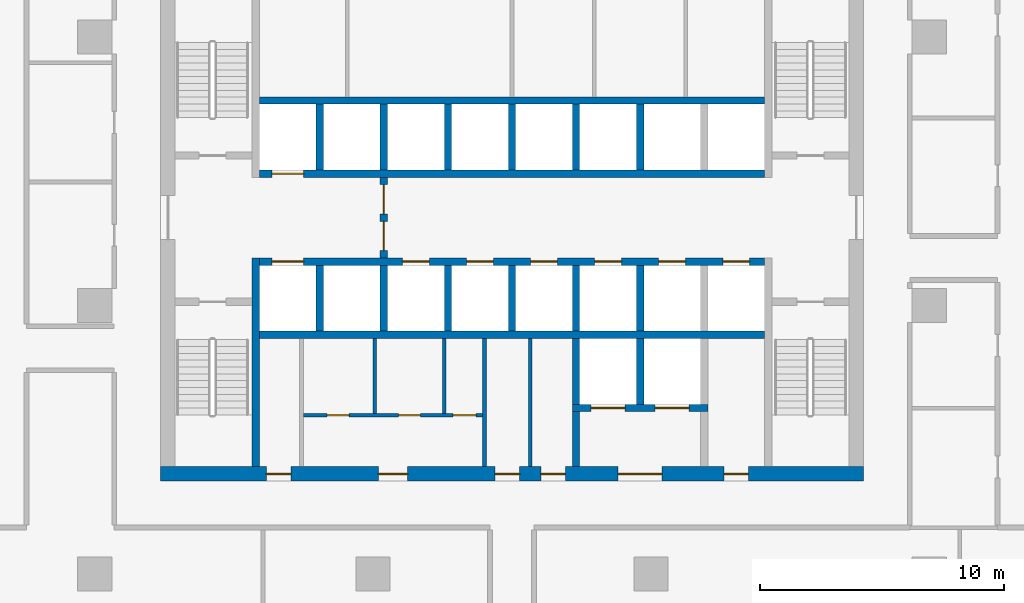
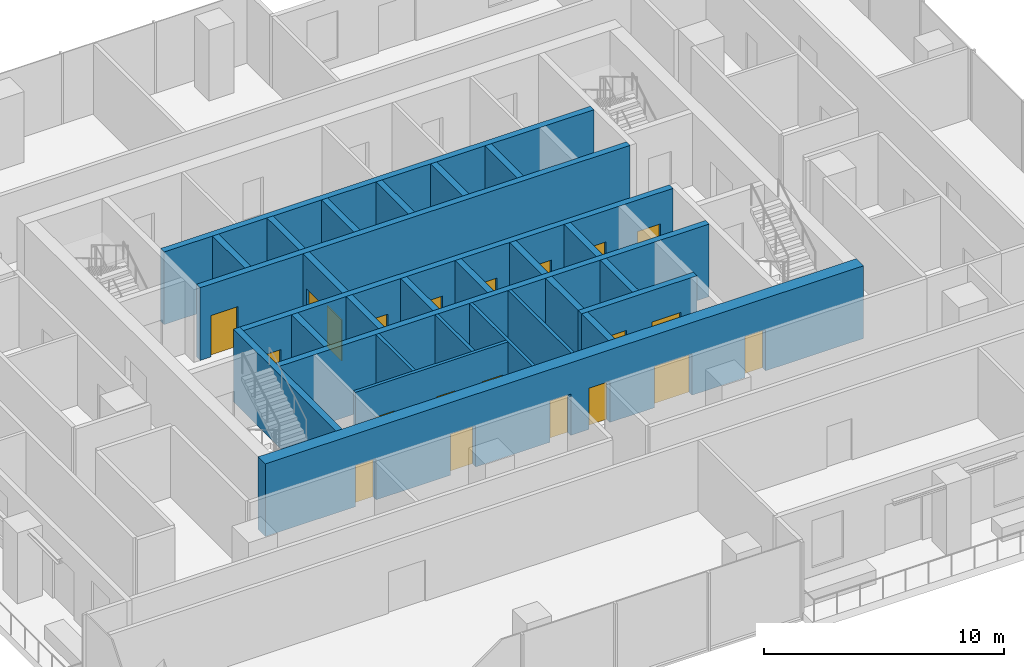
# One storey, part 8 of 14: 28 walls, 21 doors, 21 openings.
"""IFC4 building model written with IfcOpenShell, lengths in metres."""

from ifc_helpers import new_model, si_unit, direction, frame, frame_2d, origin, place, context, subcontext, project, spatial, rectangle, extrude, material, layer, layer_set, type_object, element, fill, save


model = new_model("IFC4")

# Units and contexts
model_context = context("Model", 3, precision=1e-05, world=origin(), true_north=direction((0.0, 1.0)))
body_context = subcontext(model_context, "Body", "Model", "MODEL_VIEW")
ifc_project = project(units=[si_unit("LENGTHUNIT", "METRE"), si_unit("AREAUNIT", "SQUARE_METRE"), si_unit("VOLUMEUNIT", "CUBIC_METRE"), si_unit("PLANEANGLEUNIT", "RADIAN"), si_unit("MASSUNIT", "GRAM", prefix="KILO")], contexts=[model_context])

# Site, building, storey
site_placement = place(None, origin())
site = spatial("IfcSite", under=ifc_project, at=site_placement, CompositionType="ELEMENT")
building_placement = place(site_placement, origin())
building = spatial("IfcBuilding", under=site, at=building_placement, Name="Mopane Tessera Tower", CompositionType="ELEMENT")
storey_placement = place(building_placement, frame((0.0, 0.0, 189.0)))
storey = spatial("IfcBuildingStorey", under=building, at=storey_placement, Name="L39", CompositionType="ELEMENT", Elevation=189.0)

# Wall, openings, doors
ifc_material_1 = material(Name="Fire-rated gypsum board partition")
ifc_layer_1 = layer(ifc_material_1, 0.14990234375)
ifc_layer_set_1 = layer_set([ifc_layer_1], Name="Fire-rated gypsum board partition")
wall_type_1 = type_object("IfcWallType", Name="Core room partition 150 mm", PredefinedType="PARTITIONING", material=ifc_layer_set_1)
wall_1_placement = place(storey_placement, frame((-8.550048828125, -4.5, 0.0), z_axis=(0.0, 0.0, 1.0), x_axis=(1.0, 0.0, 0.0)))
wall_1 = element("IfcWall", 1, at=wall_1_placement, inside=storey, type_object=wall_type_1, Name="L39 WC partition", PredefinedType="PARTITIONING", context=body_context, shape_type="SweptSolid", body=[
    extrude(rectangle(XDim=7.35009765625, YDim=0.14990234375, at=frame_2d((3.675048828125, 0.0))), origin(), (0.0, 0.0, 1.0), 3.699951171875),
])
opening_1_placement = place(wall_1_placement, frame((0.97509765625, 0.0, 0.0)))
opening_1 = element("IfcOpeningElement", 2, at=opening_1_placement, cuts=wall_1, Name="Opening WD1", PredefinedType="OPENING", context=body_context, shape_type="SweptSolid", body=[
    extrude(rectangle(XDim=0.89990234375, YDim=2.10009765625, at=frame_2d((0.449951171875, 1.050048828125))), frame((0.0, 0.0869140625, 0.0), z_axis=(0.0, -1.0, 0.0), x_axis=(1.0, 0.0, 0.0)), (0.0, 0.0, 1.0), 0.173828125),
])
opening_2_placement = place(wall_1_placement, frame((3.89990234375, 0.0, 0.0)))
opening_2 = element("IfcOpeningElement", 3, at=opening_2_placement, cuts=wall_1, Name="Opening WD1", PredefinedType="OPENING", context=body_context, shape_type="SweptSolid", body=[
    extrude(rectangle(XDim=0.89990234375, YDim=2.10009765625, at=frame_2d((0.449951171875, 1.050048828125))), frame((0.0, 0.0869140625, 0.0), z_axis=(0.0, -1.0, 0.0), x_axis=(1.0, 0.0, 0.0)), (0.0, 0.0, 1.0), 0.173828125),
])
opening_3_placement = place(wall_1_placement, frame((6.125, 0.0, 0.0)))
opening_3 = element("IfcOpeningElement", 4, at=opening_3_placement, cuts=wall_1, Name="Opening WD2", PredefinedType="OPENING", context=body_context, shape_type="SweptSolid", body=[
    extrude(rectangle(XDim=0.949951171875, YDim=2.10009765625, at=frame_2d((0.47509765625, 1.050048828125))), frame((0.0, 0.0869140625, 0.0), z_axis=(0.0, -1.0, 0.0), x_axis=(1.0, 0.0, 0.0)), (0.0, 0.0, 1.0), 0.173828125),
])
ifc_material_2 = material(Name="Timber door", Category="wood")
door_type_1 = type_object("IfcDoorType", Name="Accessible WC door 950 x 2100", OperationType="SINGLE_SWING_LEFT", PredefinedType="DOOR", material=ifc_material_2)
door_1_placement = place(opening_3_placement, origin())
door_1 = element("IfcDoor", 5, at=door_1_placement, inside=storey, type_object=door_type_1, Name="L39 Accessible WC door", OperationType="SINGLE_SWING_LEFT", OverallHeight=2.10009765625, OverallWidth=0.949951171875, PredefinedType="DOOR", context=body_context, shape_type="SweptSolid", body=[
    extrude(rectangle(XDim=0.949951171875, YDim=2.10009765625, at=frame_2d((0.47509765625, 1.050048828125))), frame((0.0, 0.02490234375, 0.0), z_axis=(0.0, -1.0, 0.0), x_axis=(1.0, 0.0, 0.0)), (0.0, 0.0, 1.0), 0.050048828125),
])
fill(opening_3, door_1)
ifc_material_3 = material(Name="Timber door", Category="wood")
door_type_2 = type_object("IfcDoorType", Name="WC cubicle door 900 x 2100", OperationType="SINGLE_SWING_LEFT", PredefinedType="DOOR", material=ifc_material_3)
door_2_placement = place(opening_1_placement, origin())
door_2 = element("IfcDoor", 6, at=door_2_placement, inside=storey, type_object=door_type_2, Name="L39 Men's WC door", OperationType="SINGLE_SWING_LEFT", OverallHeight=2.10009765625, OverallWidth=0.89990234375, PredefinedType="DOOR", context=body_context, shape_type="SweptSolid", body=[
    extrude(rectangle(XDim=0.89990234375, YDim=2.10009765625, at=frame_2d((0.449951171875, 1.050048828125))), frame((0.0, 0.02490234375, 0.0), z_axis=(0.0, -1.0, 0.0), x_axis=(1.0, 0.0, 0.0)), (0.0, 0.0, 1.0), 0.050048828125),
])
fill(opening_1, door_2)
door_3_placement = place(opening_2_placement, origin())
door_3 = element("IfcDoor", 7, at=door_3_placement, inside=storey, type_object=door_type_2, Name="L39 Women's WC door", OperationType="SINGLE_SWING_LEFT", OverallHeight=2.10009765625, OverallWidth=0.89990234375, PredefinedType="DOOR", context=body_context, shape_type="SweptSolid", body=[
    extrude(rectangle(XDim=0.89990234375, YDim=2.10009765625, at=frame_2d((0.449951171875, 1.050048828125))), frame((0.0, 0.02490234375, 0.0), z_axis=(0.0, -1.0, 0.0), x_axis=(1.0, 0.0, 0.0)), (0.0, 0.0, 1.0), 0.050048828125),
])
fill(opening_2, door_3)

# Walls
for number, where, z_axis, x_axis, name in (
    (8, (-5.625, -4.425048828125, 0.0), (0.0, 0.0, 1.0), (0.0, 1.0, 0.0), "L39 WC partition"),
    (9, (-2.77490234375, -4.425048828125, 0.0), (0.0, 0.0, 1.0), (0.0, 1.0, 0.0), "L39 WC partition"),
):
    element("IfcWall", number, at=place(storey_placement, frame(where, z_axis=z_axis, x_axis=x_axis)), inside=storey, type_object=wall_type_1, Name=name, PredefinedType="PARTITIONING", context=body_context, shape_type="SweptSolid", body=[
        extrude(rectangle(XDim=3.074951171875, YDim=0.14990234375, at=frame_2d((1.53759765625, 0.0))), origin(), (0.0, 0.0, 1.0), 3.699951171875),
    ])
for number, where, z_axis, x_axis, name in (
    (10, (-1.125, -6.60009765625, 0.0), (0.0, 0.0, 1.0), (0.0, 1.0, 0.0), "L39 Room partition"),
    (11, (0.75, -6.60009765625, 0.0), (0.0, 0.0, 1.0), (0.0, 1.0, 0.0), "L39 Room partition"),
):
    element("IfcWall", number, at=place(storey_placement, frame(where, z_axis=z_axis, x_axis=x_axis)), inside=storey, type_object=wall_type_1, Name=name, PredefinedType="PARTITIONING", context=body_context, shape_type="SweptSolid", body=[
        extrude(rectangle(XDim=5.25, YDim=0.14990234375, at=frame_2d((2.625, 0.0))), origin(), (0.0, 0.0, 1.0), 3.699951171875),
    ])

# Wall, openings, doors
ifc_material_4 = material(Name="Concrete C70/85", Category="concrete")
ifc_layer_2 = layer(ifc_material_4, 0.60009765625)
ifc_layer_set_2 = layer_set([ifc_layer_2], Name="Concrete C70/85")
wall_type_2 = type_object("IfcWallType", Name="Core shear wall 600 mm", PredefinedType="SHEAR", material=ifc_layer_set_2)
wall_2_placement = place(storey_placement, frame((-14.39990234375, -6.89990234375, 0.0), z_axis=(0.0, 0.0, 1.0), x_axis=(1.0, 0.0, 0.0)))
wall_2 = element("IfcWall", 12, at=wall_2_placement, inside=storey, type_object=wall_type_2, Name="L39 Core wall south", PredefinedType="SHEAR", context=body_context, shape_type="SweptSolid", body=[
    extrude(rectangle(XDim=28.7998046875, YDim=0.60009765625, at=frame_2d((14.39990234375, 0.0))), origin(), (0.0, 0.0, 1.0), 3.699951171875),
])
opening_4_placement = place(wall_2_placement, frame((4.33740234375, 0.0, 0.0)))
opening_4 = element("IfcOpeningElement", 13, at=opening_4_placement, cuts=wall_2, Name="Opening RD1", PredefinedType="OPENING", context=body_context, shape_type="SweptSolid", body=[
    extrude(rectangle(XDim=1.0, YDim=2.10009765625, at=frame_2d((0.5, 1.050048828125))), frame((0.0, 0.31201171875, 0.0), z_axis=(0.0, -1.0, 0.0), x_axis=(1.0, 0.0, 0.0)), (0.0, 0.0, 1.0), 0.6240234375),
])
opening_5_placement = place(wall_2_placement, frame((8.925048828125, 0.0, 0.0)))
opening_5 = element("IfcOpeningElement", 14, at=opening_5_placement, cuts=wall_2, Name="Opening WD3", PredefinedType="OPENING", context=body_context, shape_type="SweptSolid", body=[
    extrude(rectangle(XDim=1.199951171875, YDim=2.10009765625, at=frame_2d((0.60009765625, 1.050048828125))), frame((0.0, 0.31201171875, 0.0), z_axis=(0.0, -1.0, 0.0), x_axis=(1.0, 0.0, 0.0)), (0.0, 0.0, 1.0), 0.6240234375),
])
opening_6_placement = place(wall_2_placement, frame((13.71240234375, 0.0, 0.0)))
opening_6 = element("IfcOpeningElement", 15, at=opening_6_placement, cuts=wall_2, Name="Opening RD1", PredefinedType="OPENING", context=body_context, shape_type="SweptSolid", body=[
    extrude(rectangle(XDim=1.0, YDim=2.10009765625, at=frame_2d((0.5, 1.050048828125))), frame((0.0, 0.31201171875, 0.0), z_axis=(0.0, -1.0, 0.0), x_axis=(1.0, 0.0, 0.0)), (0.0, 0.0, 1.0), 0.6240234375),
])
opening_7_placement = place(wall_2_placement, frame((15.58740234375, 0.0, 0.0)))
opening_7 = element("IfcOpeningElement", 16, at=opening_7_placement, cuts=wall_2, Name="Opening RD1", PredefinedType="OPENING", context=body_context, shape_type="SweptSolid", body=[
    extrude(rectangle(XDim=1.0, YDim=2.10009765625, at=frame_2d((0.5, 1.050048828125))), frame((0.0, 0.31201171875, 0.0), z_axis=(0.0, -1.0, 0.0), x_axis=(1.0, 0.0, 0.0)), (0.0, 0.0, 1.0), 0.6240234375),
])
opening_8_placement = place(wall_2_placement, frame((18.75, 0.0, 0.0)))
opening_8 = element("IfcOpeningElement", 17, at=opening_8_placement, cuts=wall_2, Name="Opening SD2", PredefinedType="OPENING", context=body_context, shape_type="SweptSolid", body=[
    extrude(rectangle(XDim=1.800048828125, YDim=2.10009765625, at=frame_2d((0.89990234375, 1.050048828125))), frame((0.0, 0.31201171875, 0.0), z_axis=(0.0, -1.0, 0.0), x_axis=(1.0, 0.0, 0.0)), (0.0, 0.0, 1.0), 0.6240234375),
])
opening_9_placement = place(wall_2_placement, frame((23.08740234375, 0.0, 0.0)))
opening_9 = element("IfcOpeningElement", 18, at=opening_9_placement, cuts=wall_2, Name="Opening RD1", PredefinedType="OPENING", context=body_context, shape_type="SweptSolid", body=[
    extrude(rectangle(XDim=1.0, YDim=2.10009765625, at=frame_2d((0.5, 1.050048828125))), frame((0.0, 0.31201171875, 0.0), z_axis=(0.0, -1.0, 0.0), x_axis=(1.0, 0.0, 0.0)), (0.0, 0.0, 1.0), 0.6240234375),
])
ifc_material_5 = material(Name="Steel fire door", Category="steel")
door_type_3 = type_object("IfcDoorType", Name="Core entrance double door 1800 x 2100", OperationType="DOUBLE_DOOR_SINGLE_SWING", PredefinedType="DOOR", material=ifc_material_5)
door_4_placement = place(opening_8_placement, origin())
door_4 = element("IfcDoor", 19, at=door_4_placement, inside=storey, type_object=door_type_3, Name="L39 Service lobby door", OperationType="DOUBLE_DOOR_SINGLE_SWING", OverallHeight=2.10009765625, OverallWidth=1.800048828125, PredefinedType="DOOR", context=body_context, shape_type="SweptSolid", body=[
    extrude(rectangle(XDim=1.800048828125, YDim=2.10009765625, at=frame_2d((0.89990234375, 1.050048828125))), frame((0.0, 0.02490234375, 0.0), z_axis=(0.0, -1.0, 0.0), x_axis=(1.0, 0.0, 0.0)), (0.0, 0.0, 1.0), 0.050048828125),
])
fill(opening_8, door_4)
ifc_material_6 = material(Name="Timber door", Category="wood")
door_type_4 = type_object("IfcDoorType", Name="Core room door 1000 x 2100", OperationType="SINGLE_SWING_LEFT", PredefinedType="DOOR", material=ifc_material_6)
door_5_placement = place(opening_4_placement, origin())
door_5 = element("IfcDoor", 20, at=door_5_placement, inside=storey, type_object=door_type_4, Name="L39 Room door", OperationType="SINGLE_SWING_LEFT", OverallHeight=2.10009765625, OverallWidth=1.0, PredefinedType="DOOR", context=body_context, shape_type="SweptSolid", body=[
    extrude(rectangle(XDim=1.0, YDim=2.10009765625, at=frame_2d((0.5, 1.050048828125))), frame((0.0, 0.02490234375, 0.0), z_axis=(0.0, -1.0, 0.0), x_axis=(1.0, 0.0, 0.0)), (0.0, 0.0, 1.0), 0.050048828125),
])
fill(opening_4, door_5)
door_6_placement = place(opening_6_placement, origin())
door_6 = element("IfcDoor", 21, at=door_6_placement, inside=storey, type_object=door_type_4, Name="L39 Room door", OperationType="SINGLE_SWING_LEFT", OverallHeight=2.10009765625, OverallWidth=1.0, PredefinedType="DOOR", context=body_context, shape_type="SweptSolid", body=[
    extrude(rectangle(XDim=1.0, YDim=2.10009765625, at=frame_2d((0.5, 1.050048828125))), frame((0.0, 0.02490234375, 0.0), z_axis=(0.0, -1.0, 0.0), x_axis=(1.0, 0.0, 0.0)), (0.0, 0.0, 1.0), 0.050048828125),
])
fill(opening_6, door_6)
door_7_placement = place(opening_7_placement, origin())
door_7 = element("IfcDoor", 22, at=door_7_placement, inside=storey, type_object=door_type_4, Name="L39 Room door", OperationType="SINGLE_SWING_LEFT", OverallHeight=2.10009765625, OverallWidth=1.0, PredefinedType="DOOR", context=body_context, shape_type="SweptSolid", body=[
    extrude(rectangle(XDim=1.0, YDim=2.10009765625, at=frame_2d((0.5, 1.050048828125))), frame((0.0, 0.02490234375, 0.0), z_axis=(0.0, -1.0, 0.0), x_axis=(1.0, 0.0, 0.0)), (0.0, 0.0, 1.0), 0.050048828125),
])
fill(opening_7, door_7)
door_8_placement = place(opening_9_placement, origin())
door_8 = element("IfcDoor", 23, at=door_8_placement, inside=storey, type_object=door_type_4, Name="L39 Room door", OperationType="SINGLE_SWING_LEFT", OverallHeight=2.10009765625, OverallWidth=1.0, PredefinedType="DOOR", context=body_context, shape_type="SweptSolid", body=[
    extrude(rectangle(XDim=1.0, YDim=2.10009765625, at=frame_2d((0.5, 1.050048828125))), frame((0.0, 0.02490234375, 0.0), z_axis=(0.0, -1.0, 0.0), x_axis=(1.0, 0.0, 0.0)), (0.0, 0.0, 1.0), 0.050048828125),
])
fill(opening_9, door_8)
ifc_material_7 = material(Name="Timber door", Category="wood")
door_type_5 = type_object("IfcDoorType", Name="WC lobby door 1200 x 2100", OperationType="SINGLE_SWING_LEFT", PredefinedType="DOOR", material=ifc_material_7)
door_9_placement = place(opening_5_placement, origin())
door_9 = element("IfcDoor", 24, at=door_9_placement, inside=storey, type_object=door_type_5, Name="L39 WC lobby door", OperationType="SINGLE_SWING_LEFT", OverallHeight=2.10009765625, OverallWidth=1.199951171875, PredefinedType="DOOR", context=body_context, shape_type="SweptSolid", body=[
    extrude(rectangle(XDim=1.199951171875, YDim=2.10009765625, at=frame_2d((0.60009765625, 1.050048828125))), frame((0.0, 0.02490234375, 0.0), z_axis=(0.0, -1.0, 0.0), x_axis=(1.0, 0.0, 0.0)), (0.0, 0.0, 1.0), 0.050048828125),
])
fill(opening_5, door_9)

# Walls
ifc_material_8 = material(Name="Concrete C60/75", Category="concrete")
ifc_layer_3 = layer(ifc_material_8, 0.300048828125)
ifc_layer_set_3 = layer_set([ifc_layer_3], Name="Concrete C60/75")
wall_type_3 = type_object("IfcWallType", Name="Core spine wall 300 mm", PredefinedType="SHEAR", material=ifc_layer_set_3)
wall_3_placement = place(storey_placement, frame((-10.5, -6.60009765625, 0.0), z_axis=(0.0, 0.0, 1.0), x_axis=(0.0, 1.0, 0.0)))
element("IfcWall", 25, at=wall_3_placement, inside=storey, type_object=wall_type_3, Name="L39 Core spine wall", PredefinedType="SHEAR", context=body_context, shape_type="SweptSolid", body=[
    extrude(rectangle(XDim=8.550048828125, YDim=0.300048828125, at=frame_2d((4.27490234375, 0.0))), origin(), (0.0, 0.0, 1.0), 3.699951171875),
])
ifc_material_9 = material(Name="Concrete C50/60", Category="concrete")
ifc_layer_4 = layer(ifc_material_9, 0.300048828125)
ifc_layer_set_4 = layer_set([ifc_layer_4], Name="Concrete C50/60")
wall_type_4 = type_object("IfcWallType", Name="Lift and stair shaft wall 300 mm", PredefinedType="SOLIDWALL", material=ifc_layer_set_4)
wall_4_placement = place(storey_placement, frame((-10.35009765625, -1.199951171875, 0.0), z_axis=(0.0, 0.0, 1.0), x_axis=(1.0, 0.0, 0.0)))
element("IfcWall", 26, at=wall_4_placement, inside=storey, type_object=wall_type_4, Name="L39 Lift shaft rear wall", PredefinedType="SOLIDWALL", context=body_context, shape_type="SweptSolid", body=[
    extrude(rectangle(XDim=20.7001953125, YDim=0.300048828125, at=frame_2d((10.35009765625, 0.0))), origin(), (0.0, 0.0, 1.0), 3.699951171875),
])

# Wall, openings, doors
wall_5_placement = place(storey_placement, frame((-10.35009765625, 1.800048828125, 0.0), z_axis=(0.0, 0.0, 1.0), x_axis=(1.0, 0.0, 0.0)))
wall_5 = element("IfcWall", 27, at=wall_5_placement, inside=storey, type_object=wall_type_4, Name="L39 Lift shaft front wall", PredefinedType="SOLIDWALL", context=body_context, shape_type="SweptSolid", body=[
    extrude(rectangle(XDim=20.7001953125, YDim=0.300048828125, at=frame_2d((10.35009765625, 0.0))), origin(), (0.0, 0.0, 1.0), 3.699951171875),
])
opening_10_placement = place(wall_5_placement, frame((0.512451171875, 0.0, 0.0)))
opening_10 = element("IfcOpeningElement", 28, at=opening_10_placement, cuts=wall_5, Name="Opening LD2", PredefinedType="OPENING", context=body_context, shape_type="SweptSolid", body=[
    extrude(rectangle(XDim=1.300048828125, YDim=2.10009765625, at=frame_2d((0.64990234375, 1.050048828125))), frame((0.0, 0.162109375, 0.0), z_axis=(0.0, -1.0, 0.0), x_axis=(1.0, 0.0, 0.0)), (0.0, 0.0, 1.0), 0.323974609375),
])
opening_11_placement = place(wall_5_placement, frame((5.862548828125, 0.0, 0.0)))
opening_11 = element("IfcOpeningElement", 29, at=opening_11_placement, cuts=wall_5, Name="Opening LD", PredefinedType="OPENING", context=body_context, shape_type="SweptSolid", body=[
    extrude(rectangle(XDim=1.10009765625, YDim=2.10009765625, at=frame_2d((0.550048828125, 1.050048828125))), frame((0.0, 0.162109375, 0.0), z_axis=(0.0, -1.0, 0.0), x_axis=(1.0, 0.0, 0.0)), (0.0, 0.0, 1.0), 0.323974609375),
])
opening_12_placement = place(wall_5_placement, frame((8.487548828125, 0.0, 0.0)))
opening_12 = element("IfcOpeningElement", 30, at=opening_12_placement, cuts=wall_5, Name="Opening LD", PredefinedType="OPENING", context=body_context, shape_type="SweptSolid", body=[
    extrude(rectangle(XDim=1.10009765625, YDim=2.10009765625, at=frame_2d((0.550048828125, 1.050048828125))), frame((0.0, 0.162109375, 0.0), z_axis=(0.0, -1.0, 0.0), x_axis=(1.0, 0.0, 0.0)), (0.0, 0.0, 1.0), 0.323974609375),
])
opening_13_placement = place(wall_5_placement, frame((11.112548828125, 0.0, 0.0)))
opening_13 = element("IfcOpeningElement", 31, at=opening_13_placement, cuts=wall_5, Name="Opening LD", PredefinedType="OPENING", context=body_context, shape_type="SweptSolid", body=[
    extrude(rectangle(XDim=1.10009765625, YDim=2.10009765625, at=frame_2d((0.550048828125, 1.050048828125))), frame((0.0, 0.162109375, 0.0), z_axis=(0.0, -1.0, 0.0), x_axis=(1.0, 0.0, 0.0)), (0.0, 0.0, 1.0), 0.323974609375),
])
opening_14_placement = place(wall_5_placement, frame((13.737548828125, 0.0, 0.0)))
opening_14 = element("IfcOpeningElement", 32, at=opening_14_placement, cuts=wall_5, Name="Opening LD", PredefinedType="OPENING", context=body_context, shape_type="SweptSolid", body=[
    extrude(rectangle(XDim=1.10009765625, YDim=2.10009765625, at=frame_2d((0.550048828125, 1.050048828125))), frame((0.0, 0.162109375, 0.0), z_axis=(0.0, -1.0, 0.0), x_axis=(1.0, 0.0, 0.0)), (0.0, 0.0, 1.0), 0.323974609375),
])
opening_15_placement = place(wall_5_placement, frame((16.362548828125, 0.0, 0.0)))
opening_15 = element("IfcOpeningElement", 33, at=opening_15_placement, cuts=wall_5, Name="Opening LD", PredefinedType="OPENING", context=body_context, shape_type="SweptSolid", body=[
    extrude(rectangle(XDim=1.10009765625, YDim=2.10009765625, at=frame_2d((0.550048828125, 1.050048828125))), frame((0.0, 0.162109375, 0.0), z_axis=(0.0, -1.0, 0.0), x_axis=(1.0, 0.0, 0.0)), (0.0, 0.0, 1.0), 0.323974609375),
])
opening_16_placement = place(wall_5_placement, frame((18.987548828125, 0.0, 0.0)))
opening_16 = element("IfcOpeningElement", 34, at=opening_16_placement, cuts=wall_5, Name="Opening LD", PredefinedType="OPENING", context=body_context, shape_type="SweptSolid", body=[
    extrude(rectangle(XDim=1.10009765625, YDim=2.10009765625, at=frame_2d((0.550048828125, 1.050048828125))), frame((0.0, 0.162109375, 0.0), z_axis=(0.0, -1.0, 0.0), x_axis=(1.0, 0.0, 0.0)), (0.0, 0.0, 1.0), 0.323974609375),
])
ifc_material_10 = material(Name="Stainless steel sliding door", Category="steel")
door_type_6 = type_object("IfcDoorType", Name="Fire-fighting lift landing door 1300 x 2100", OperationType="DOUBLE_DOOR_SLIDING", PredefinedType="DOOR", material=ifc_material_10)
door_10_placement = place(opening_10_placement, origin())
door_10 = element("IfcDoor", 35, at=door_10_placement, inside=storey, type_object=door_type_6, Name="L39 Lift landing door FF1", OperationType="DOUBLE_DOOR_SLIDING", OverallHeight=2.10009765625, OverallWidth=1.300048828125, PredefinedType="DOOR", context=body_context, shape_type="SweptSolid", body=[
    extrude(rectangle(XDim=1.300048828125, YDim=2.10009765625, at=frame_2d((0.64990234375, 1.050048828125))), frame((0.0, 0.02490234375, 0.0), z_axis=(0.0, -1.0, 0.0), x_axis=(1.0, 0.0, 0.0)), (0.0, 0.0, 1.0), 0.050048828125),
])
fill(opening_10, door_10)
ifc_material_11 = material(Name="Stainless steel sliding door", Category="steel")
door_type_7 = type_object("IfcDoorType", Name="Lift landing door 1100 x 2100", OperationType="DOUBLE_DOOR_SLIDING", PredefinedType="DOOR", material=ifc_material_11)
door_11_placement = place(opening_11_placement, origin())
door_11 = element("IfcDoor", 36, at=door_11_placement, inside=storey, type_object=door_type_7, Name="L39 Lift landing door LR1", OperationType="DOUBLE_DOOR_SLIDING", OverallHeight=2.10009765625, OverallWidth=1.10009765625, PredefinedType="DOOR", context=body_context, shape_type="SweptSolid", body=[
    extrude(rectangle(XDim=1.10009765625, YDim=2.10009765625, at=frame_2d((0.550048828125, 1.050048828125))), frame((0.0, 0.02490234375, 0.0), z_axis=(0.0, -1.0, 0.0), x_axis=(1.0, 0.0, 0.0)), (0.0, 0.0, 1.0), 0.050048828125),
])
fill(opening_11, door_11)
door_12_placement = place(opening_12_placement, origin())
door_12 = element("IfcDoor", 37, at=door_12_placement, inside=storey, type_object=door_type_7, Name="L39 Lift landing door LR2", OperationType="DOUBLE_DOOR_SLIDING", OverallHeight=2.10009765625, OverallWidth=1.10009765625, PredefinedType="DOOR", context=body_context, shape_type="SweptSolid", body=[
    extrude(rectangle(XDim=1.10009765625, YDim=2.10009765625, at=frame_2d((0.550048828125, 1.050048828125))), frame((0.0, 0.02490234375, 0.0), z_axis=(0.0, -1.0, 0.0), x_axis=(1.0, 0.0, 0.0)), (0.0, 0.0, 1.0), 0.050048828125),
])
fill(opening_12, door_12)
door_13_placement = place(opening_13_placement, origin())
door_13 = element("IfcDoor", 38, at=door_13_placement, inside=storey, type_object=door_type_7, Name="L39 Lift landing door LR3", OperationType="DOUBLE_DOOR_SLIDING", OverallHeight=2.10009765625, OverallWidth=1.10009765625, PredefinedType="DOOR", context=body_context, shape_type="SweptSolid", body=[
    extrude(rectangle(XDim=1.10009765625, YDim=2.10009765625, at=frame_2d((0.550048828125, 1.050048828125))), frame((0.0, 0.02490234375, 0.0), z_axis=(0.0, -1.0, 0.0), x_axis=(1.0, 0.0, 0.0)), (0.0, 0.0, 1.0), 0.050048828125),
])
fill(opening_13, door_13)
door_14_placement = place(opening_14_placement, origin())
door_14 = element("IfcDoor", 39, at=door_14_placement, inside=storey, type_object=door_type_7, Name="L39 Lift landing door LR4", OperationType="DOUBLE_DOOR_SLIDING", OverallHeight=2.10009765625, OverallWidth=1.10009765625, PredefinedType="DOOR", context=body_context, shape_type="SweptSolid", body=[
    extrude(rectangle(XDim=1.10009765625, YDim=2.10009765625, at=frame_2d((0.550048828125, 1.050048828125))), frame((0.0, 0.02490234375, 0.0), z_axis=(0.0, -1.0, 0.0), x_axis=(1.0, 0.0, 0.0)), (0.0, 0.0, 1.0), 0.050048828125),
])
fill(opening_14, door_14)
door_15_placement = place(opening_15_placement, origin())
door_15 = element("IfcDoor", 40, at=door_15_placement, inside=storey, type_object=door_type_7, Name="L39 Lift landing door LR5", OperationType="DOUBLE_DOOR_SLIDING", OverallHeight=2.10009765625, OverallWidth=1.10009765625, PredefinedType="DOOR", context=body_context, shape_type="SweptSolid", body=[
    extrude(rectangle(XDim=1.10009765625, YDim=2.10009765625, at=frame_2d((0.550048828125, 1.050048828125))), frame((0.0, 0.02490234375, 0.0), z_axis=(0.0, -1.0, 0.0), x_axis=(1.0, 0.0, 0.0)), (0.0, 0.0, 1.0), 0.050048828125),
])
fill(opening_15, door_15)
door_16_placement = place(opening_16_placement, origin())
door_16 = element("IfcDoor", 41, at=door_16_placement, inside=storey, type_object=door_type_7, Name="L39 Lift landing door LR6", OperationType="DOUBLE_DOOR_SLIDING", OverallHeight=2.10009765625, OverallWidth=1.10009765625, PredefinedType="DOOR", context=body_context, shape_type="SweptSolid", body=[
    extrude(rectangle(XDim=1.10009765625, YDim=2.10009765625, at=frame_2d((0.550048828125, 1.050048828125))), frame((0.0, 0.02490234375, 0.0), z_axis=(0.0, -1.0, 0.0), x_axis=(1.0, 0.0, 0.0)), (0.0, 0.0, 1.0), 0.050048828125),
])
fill(opening_16, door_16)

# Wall, opening, door
wall_6_placement = place(storey_placement, frame((-10.35009765625, 5.39990234375, 0.0), z_axis=(0.0, 0.0, 1.0), x_axis=(1.0, 0.0, 0.0)))
wall_6 = element("IfcWall", 42, at=wall_6_placement, inside=storey, type_object=wall_type_4, Name="L39 Lift shaft front wall", PredefinedType="SOLIDWALL", context=body_context, shape_type="SweptSolid", body=[
    extrude(rectangle(XDim=20.7001953125, YDim=0.300048828125, at=frame_2d((10.35009765625, 0.0))), origin(), (0.0, 0.0, 1.0), 3.699951171875),
])
opening_17_placement = place(wall_6_placement, frame((0.512451171875, 0.0, 0.0)))
opening_17 = element("IfcOpeningElement", 43, at=opening_17_placement, cuts=wall_6, Name="Opening LD2", PredefinedType="OPENING", context=body_context, shape_type="SweptSolid", body=[
    extrude(rectangle(XDim=1.300048828125, YDim=2.10009765625, at=frame_2d((0.64990234375, 1.050048828125))), frame((0.0, 0.162109375, 0.0), z_axis=(0.0, -1.0, 0.0), x_axis=(1.0, 0.0, 0.0)), (0.0, 0.0, 1.0), 0.323974609375),
])
door_17_placement = place(opening_17_placement, origin())
door_17 = element("IfcDoor", 44, at=door_17_placement, inside=storey, type_object=door_type_6, Name="L39 Lift landing door FF2", OperationType="DOUBLE_DOOR_SLIDING", OverallHeight=2.10009765625, OverallWidth=1.300048828125, PredefinedType="DOOR", context=body_context, shape_type="SweptSolid", body=[
    extrude(rectangle(XDim=1.300048828125, YDim=2.10009765625, at=frame_2d((0.64990234375, 1.050048828125))), frame((0.0, 0.02490234375, 0.0), z_axis=(0.0, -1.0, 0.0), x_axis=(1.0, 0.0, 0.0)), (0.0, 0.0, 1.0), 0.050048828125),
])
fill(opening_17, door_17)

# Walls
wall_7_placement = place(storey_placement, frame((-10.35009765625, 8.39990234375, 0.0), z_axis=(0.0, 0.0, 1.0), x_axis=(1.0, 0.0, 0.0)))
element("IfcWall", 45, at=wall_7_placement, inside=storey, type_object=wall_type_4, Name="L39 Lift shaft rear wall", PredefinedType="SOLIDWALL", context=body_context, shape_type="SweptSolid", body=[
    extrude(rectangle(XDim=20.7001953125, YDim=0.300048828125, at=frame_2d((10.35009765625, 0.0))), origin(), (0.0, 0.0, 1.0), 3.699951171875),
])
for number, where, z_axis, x_axis, name in (
    (46, (-7.875, -1.050048828125, 0.0), (0.0, 0.0, 1.0), (0.0, 1.0, 0.0), "L39 Lift shaft wall"),
    (47, (-5.25, -1.050048828125, 0.0), (0.0, 0.0, 1.0), (0.0, 1.0, 0.0), "L39 Lift shaft wall"),
    (48, (-2.625, -1.050048828125, 0.0), (0.0, 0.0, 1.0), (0.0, 1.0, 0.0), "L39 Lift shaft wall"),
    (49, (0.0, -1.050048828125, 0.0), (0.0, 0.0, 1.0), (0.0, 1.0, 0.0), "L39 Lift shaft wall"),
    (50, (2.625, -1.050048828125, 0.0), (0.0, 0.0, 1.0), (0.0, 1.0, 0.0), "L39 Lift shaft wall"),
    (51, (5.25, -1.050048828125, 0.0), (0.0, 0.0, 1.0), (0.0, 1.0, 0.0), "L39 Lift shaft wall"),
    (52, (-7.875, 5.550048828125, 0.0), (0.0, 0.0, 1.0), (0.0, 1.0, 0.0), "L39 Lift shaft wall"),
    (53, (-5.25, 5.550048828125, 0.0), (0.0, 0.0, 1.0), (0.0, 1.0, 0.0), "L39 Lift shaft wall"),
    (54, (-2.625, 5.550048828125, 0.0), (0.0, 0.0, 1.0), (0.0, 1.0, 0.0), "L39 Lift shaft wall"),
    (55, (0.0, 5.550048828125, 0.0), (0.0, 0.0, 1.0), (0.0, 1.0, 0.0), "L39 Lift shaft wall"),
    (56, (2.625, 5.550048828125, 0.0), (0.0, 0.0, 1.0), (0.0, 1.0, 0.0), "L39 Lift shaft wall"),
    (57, (5.25, 5.550048828125, 0.0), (0.0, 0.0, 1.0), (0.0, 1.0, 0.0), "L39 Lift shaft wall"),
):
    element("IfcWall", number, at=place(storey_placement, frame(where, z_axis=z_axis, x_axis=x_axis)), inside=storey, type_object=wall_type_4, Name=name, PredefinedType="SOLIDWALL", context=body_context, shape_type="SweptSolid", body=[
        extrude(rectangle(XDim=2.699951171875, YDim=0.300048828125, at=frame_2d((1.35009765625, 0.0))), origin(), (0.0, 0.0, 1.0), 3.699951171875),
    ])

# Wall, openings, doors
wall_8_placement = place(storey_placement, frame((2.47509765625, -4.199951171875, 0.0), z_axis=(0.0, 0.0, 1.0), x_axis=(1.0, 0.0, 0.0)))
wall_8 = element("IfcWall", 58, at=wall_8_placement, inside=storey, type_object=wall_type_4, Name="L39 Lift shaft front wall", PredefinedType="SOLIDWALL", context=body_context, shape_type="SweptSolid", body=[
    extrude(rectangle(XDim=5.5498046875, YDim=0.300048828125, at=frame_2d((2.77490234375, 0.0))), origin(), (0.0, 0.0, 1.0), 3.699951171875),
])
opening_18_placement = place(wall_8_placement, frame((0.762451171875, 0.0, 0.0)))
opening_18 = element("IfcOpeningElement", 59, at=opening_18_placement, cuts=wall_8, Name="Opening LD3", PredefinedType="OPENING", context=body_context, shape_type="SweptSolid", body=[
    extrude(rectangle(XDim=1.39990234375, YDim=2.10009765625, at=frame_2d((0.699951171875, 1.050048828125))), frame((0.0, 0.162109375, 0.0), z_axis=(0.0, -1.0, 0.0), x_axis=(1.0, 0.0, 0.0)), (0.0, 0.0, 1.0), 0.323974609375),
])
opening_19_placement = place(wall_8_placement, frame((3.387451171875, 0.0, 0.0)))
opening_19 = element("IfcOpeningElement", 60, at=opening_19_placement, cuts=wall_8, Name="Opening LD3", PredefinedType="OPENING", context=body_context, shape_type="SweptSolid", body=[
    extrude(rectangle(XDim=1.39990234375, YDim=2.10009765625, at=frame_2d((0.699951171875, 1.050048828125))), frame((0.0, 0.162109375, 0.0), z_axis=(0.0, -1.0, 0.0), x_axis=(1.0, 0.0, 0.0)), (0.0, 0.0, 1.0), 0.323974609375),
])
ifc_material_12 = material(Name="Stainless steel sliding door", Category="steel")
door_type_8 = type_object("IfcDoorType", Name="Service lift landing door 1400 x 2100", OperationType="DOUBLE_DOOR_SLIDING", PredefinedType="DOOR", material=ifc_material_12)
door_18_placement = place(opening_18_placement, origin())
door_18 = element("IfcDoor", 61, at=door_18_placement, inside=storey, type_object=door_type_8, Name="L39 Lift landing door SV1", OperationType="DOUBLE_DOOR_SLIDING", OverallHeight=2.10009765625, OverallWidth=1.39990234375, PredefinedType="DOOR", context=body_context, shape_type="SweptSolid", body=[
    extrude(rectangle(XDim=1.39990234375, YDim=2.10009765625, at=frame_2d((0.699951171875, 1.050048828125))), frame((0.0, 0.02490234375, 0.0), z_axis=(0.0, -1.0, 0.0), x_axis=(1.0, 0.0, 0.0)), (0.0, 0.0, 1.0), 0.050048828125),
])
fill(opening_18, door_18)
door_19_placement = place(opening_19_placement, origin())
door_19 = element("IfcDoor", 62, at=door_19_placement, inside=storey, type_object=door_type_8, Name="L39 Lift landing door SV2", OperationType="DOUBLE_DOOR_SLIDING", OverallHeight=2.10009765625, OverallWidth=1.39990234375, PredefinedType="DOOR", context=body_context, shape_type="SweptSolid", body=[
    extrude(rectangle(XDim=1.39990234375, YDim=2.10009765625, at=frame_2d((0.699951171875, 1.050048828125))), frame((0.0, 0.02490234375, 0.0), z_axis=(0.0, -1.0, 0.0), x_axis=(1.0, 0.0, 0.0)), (0.0, 0.0, 1.0), 0.050048828125),
])
fill(opening_19, door_19)

# Walls
for number, where, z_axis, x_axis, name in (
    (63, (2.625, -4.050048828125, 0.0), (0.0, 0.0, 1.0), (0.0, 1.0, 0.0), "L39 Lift shaft wall"),
    (64, (5.25, -4.050048828125, 0.0), (0.0, 0.0, 1.0), (0.0, 1.0, 0.0), "L39 Lift shaft wall"),
):
    element("IfcWall", number, at=place(storey_placement, frame(where, z_axis=z_axis, x_axis=x_axis)), inside=storey, type_object=wall_type_4, Name=name, PredefinedType="SOLIDWALL", context=body_context, shape_type="SweptSolid", body=[
        extrude(rectangle(XDim=2.699951171875, YDim=0.300048828125, at=frame_2d((1.35009765625, 0.0))), origin(), (0.0, 0.0, 1.0), 3.699951171875),
    ])

# Wall, openings, doors
ifc_material_13 = material(Name="Concrete C50/60", Category="concrete")
ifc_layer_5 = layer(ifc_material_13, 0.300048828125)
ifc_layer_set_5 = layer_set([ifc_layer_5], Name="Concrete C50/60")
wall_type_5 = type_object("IfcWallType", Name="Lobby and refuge room wall 300 mm", PredefinedType="SOLIDWALL", material=ifc_layer_set_5)
wall_9_placement = place(storey_placement, frame((-5.25, 1.949951171875, 0.0), z_axis=(0.0, 0.0, 1.0), x_axis=(0.0, 1.0, 0.0)))
wall_9 = element("IfcWall", 65, at=wall_9_placement, inside=storey, type_object=wall_type_5, Name="L39 Fire-fighting lobby wall", PredefinedType="SOLIDWALL", context=body_context, shape_type="SweptSolid", body=[
    extrude(rectangle(XDim=3.300048828125, YDim=0.300048828125, at=frame_2d((1.64990234375, 0.0))), origin(), (0.0, 0.0, 1.0), 3.699951171875),
])
opening_20_placement = place(wall_9_placement, frame((0.300048828125, 0.0, 0.0)))
opening_20 = element("IfcOpeningElement", 66, at=opening_20_placement, cuts=wall_9, Name="Opening SD3", PredefinedType="OPENING", context=body_context, shape_type="SweptSolid", body=[
    extrude(rectangle(XDim=1.199951171875, YDim=2.10009765625, at=frame_2d((0.60009765625, 1.050048828125))), frame((0.0, 0.162109375, 0.0), z_axis=(0.0, -1.0, 0.0), x_axis=(1.0, 0.0, 0.0)), (0.0, 0.0, 1.0), 0.323974609375),
])
opening_21_placement = place(wall_9_placement, frame((1.800048828125, 0.0, 0.0)))
opening_21 = element("IfcOpeningElement", 67, at=opening_21_placement, cuts=wall_9, Name="Opening SD3", PredefinedType="OPENING", context=body_context, shape_type="SweptSolid", body=[
    extrude(rectangle(XDim=1.199951171875, YDim=2.10009765625, at=frame_2d((0.60009765625, 1.050048828125))), frame((0.0, 0.162109375, 0.0), z_axis=(0.0, -1.0, 0.0), x_axis=(1.0, 0.0, 0.0)), (0.0, 0.0, 1.0), 0.323974609375),
])
ifc_material_14 = material(Name="Steel fire door", Category="steel")
door_type_9 = type_object("IfcDoorType", Name="Lobby fire door 1200 x 2100", OperationType="SINGLE_SWING_LEFT", PredefinedType="DOOR", material=ifc_material_14)
door_20_placement = place(opening_20_placement, origin())
door_20 = element("IfcDoor", 68, at=door_20_placement, inside=storey, type_object=door_type_9, Name="L39 Fire-fighting lobby door", OperationType="SINGLE_SWING_LEFT", OverallHeight=2.10009765625, OverallWidth=1.199951171875, PredefinedType="DOOR", context=body_context, shape_type="SweptSolid", body=[
    extrude(rectangle(XDim=1.199951171875, YDim=2.10009765625, at=frame_2d((0.60009765625, 1.050048828125))), frame((0.0, 0.02490234375, 0.0), z_axis=(0.0, -1.0, 0.0), x_axis=(1.0, 0.0, 0.0)), (0.0, 0.0, 1.0), 0.050048828125),
])
fill(opening_20, door_20)
door_21_placement = place(opening_21_placement, origin())
door_21 = element("IfcDoor", 69, at=door_21_placement, inside=storey, type_object=door_type_9, Name="L39 Fire-fighting lobby door", OperationType="SINGLE_SWING_RIGHT", OverallHeight=2.10009765625, OverallWidth=1.199951171875, PredefinedType="DOOR", context=body_context, shape_type="SweptSolid", body=[
    extrude(rectangle(XDim=1.199951171875, YDim=2.10009765625, at=frame_2d((0.60009765625, 1.050048828125))), frame((0.0, 0.02490234375, 0.0), z_axis=(0.0, -1.0, 0.0), x_axis=(1.0, 0.0, 0.0)), (0.0, 0.0, 1.0), 0.050048828125),
])
fill(opening_21, door_21)

# Wall
wall_10_placement = place(storey_placement, frame((2.625, -6.60009765625, 0.0), z_axis=(0.0, 0.0, 1.0), x_axis=(0.0, 1.0, 0.0)))
element("IfcWall", 70, at=wall_10_placement, inside=storey, type_object=wall_type_5, Name="L39 Service lobby wall", PredefinedType="SOLIDWALL", context=body_context, shape_type="SweptSolid", body=[
    extrude(rectangle(XDim=2.25, YDim=0.300048828125, at=frame_2d((1.125, 0.0))), origin(), (0.0, 0.0, 1.0), 3.699951171875),
])

save(model, "model.ifc")
